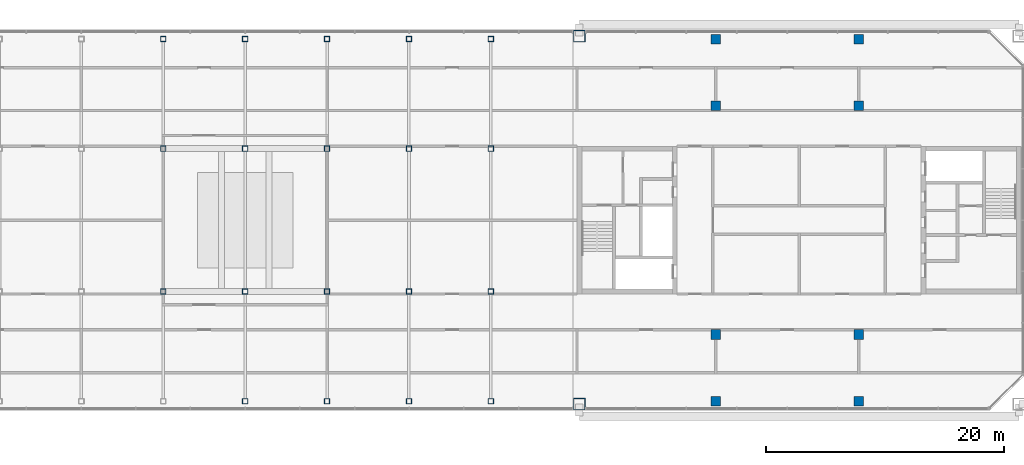
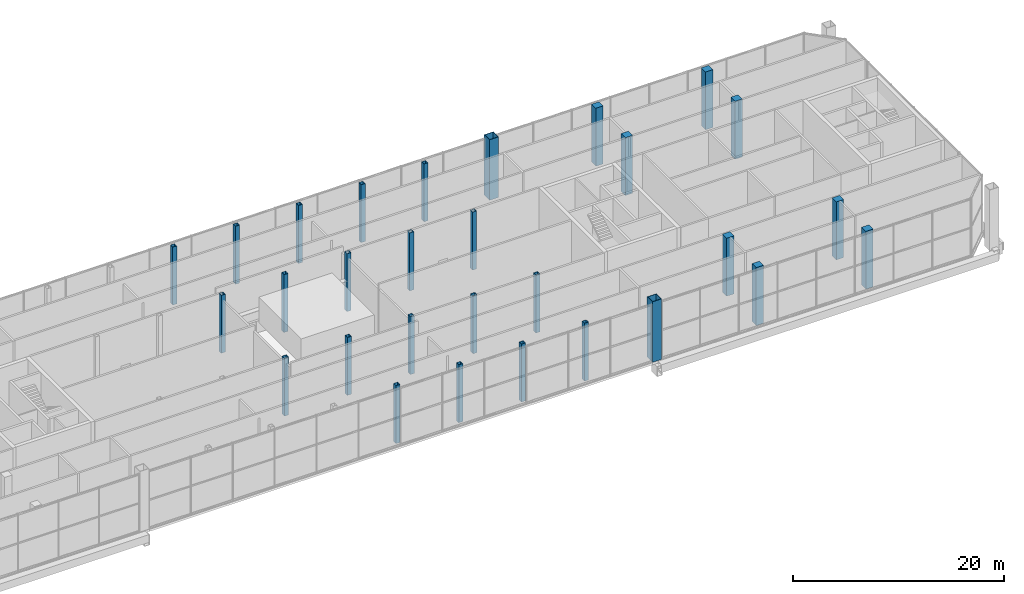
# One storey, part 2 of 27: 29 columns.
"""IFC4 building model written with IfcOpenShell, lengths in metres."""

from ifc_helpers import new_model, si_unit, direction, frame, origin, origin_2d, place, context, subcontext, project, spatial, rectangle, hollow_rectangle, extrude, material, material_profile, profile_set, type_object, element, save


model = new_model("IFC4")

# Units and contexts
model_context = context("Model", 3, precision=1e-05, world=origin(), true_north=direction((0.0, 1.0)))
body_context = subcontext(model_context, "Body", "Model", "MODEL_VIEW")
ifc_project = project(units=[si_unit("LENGTHUNIT", "METRE"), si_unit("AREAUNIT", "SQUARE_METRE"), si_unit("VOLUMEUNIT", "CUBIC_METRE"), si_unit("PLANEANGLEUNIT", "RADIAN"), si_unit("MASSUNIT", "GRAM", prefix="KILO")], contexts=[model_context])

# Site, building, storey
site_placement = place(None, origin())
site = spatial("IfcSite", under=ifc_project, at=site_placement, CompositionType="ELEMENT")
building_placement = place(site_placement, origin())
building = spatial("IfcBuilding", under=site, at=building_placement, Name="Tuart Gate Housing", CompositionType="ELEMENT")
storey_placement = place(building_placement, frame((0.0, 0.0, 236.89990234375)))
storey = spatial("IfcBuildingStorey", under=building, at=storey_placement, Name="L67", CompositionType="ELEMENT", Elevation=236.89990234375)

# Columns
ifc_material_1 = material(Name="Steel Grade 350", Category="steel")
ifc_material_profile_1 = material_profile(ifc_material_1, hollow_rectangle(XDim=0.449951171875, YDim=0.449951171875, WallThickness=0.02490234375, at=origin_2d()), Name="BOX 450x450x25")
ifc_profile_set_1 = profile_set([ifc_material_profile_1], Name="Steel Grade 350")
column_type_1 = type_object("IfcColumnType", Name="Link column BOX 450x450x25", PredefinedType="COLUMN", material=ifc_profile_set_1)
for number, where, z_axis, x_axis, name in (
    (1, (103.5, 54.800048828125, 0.0), (0.0, 0.0, 1.0), (1.0, 0.0, 0.0), "Link column line 1 point 4 L67"),
    (2, (110.375, 54.800048828125, 0.0), (0.0, 0.0, 1.0), (1.0, 0.0, 0.0), "Link column line 1 point 5 L67"),
    (3, (117.25, 54.800048828125, 0.0), (0.0, 0.0, 1.0), (1.0, 0.0, 0.0), "Link column line 1 point 6 L67"),
    (4, (124.125, 54.800048828125, 0.0), (0.0, 0.0, 1.0), (1.0, 0.0, 0.0), "Link column line 1 point 7 L67"),
    (5, (96.625, 64.0, 0.0), (0.0, 0.0, 1.0), (1.0, 0.0, 0.0), "Link column line 2 point 3 L67"),
    (6, (103.5, 64.0, 0.0), (0.0, 0.0, 1.0), (1.0, 0.0, 0.0), "Link column line 2 point 4 L67"),
    (7, (110.375, 64.0, 0.0), (0.0, 0.0, 1.0), (1.0, 0.0, 0.0), "Link column line 2 point 5 L67"),
    (8, (117.25, 64.0, 0.0), (0.0, 0.0, 1.0), (1.0, 0.0, 0.0), "Link column line 2 point 6 L67"),
    (9, (124.125, 64.0, 0.0), (0.0, 0.0, 1.0), (1.0, 0.0, 0.0), "Link column line 2 point 7 L67"),
    (10, (96.625, 76.0, 0.0), (0.0, 0.0, 1.0), (1.0, 0.0, 0.0), "Link column line 3 point 3 L67"),
    (11, (103.5, 76.0, 0.0), (0.0, 0.0, 1.0), (1.0, 0.0, 0.0), "Link column line 3 point 4 L67"),
    (12, (110.375, 76.0, 0.0), (0.0, 0.0, 1.0), (1.0, 0.0, 0.0), "Link column line 3 point 5 L67"),
    (13, (117.25, 76.0, 0.0), (0.0, 0.0, 1.0), (1.0, 0.0, 0.0), "Link column line 3 point 6 L67"),
    (14, (124.125, 76.0, 0.0), (0.0, 0.0, 1.0), (1.0, 0.0, 0.0), "Link column line 3 point 7 L67"),
    (15, (96.625, 85.199951171875, 0.0), (0.0, 0.0, 1.0), (1.0, 0.0, 0.0), "Link column line 4 point 3 L67"),
    (16, (103.5, 85.199951171875, 0.0), (0.0, 0.0, 1.0), (1.0, 0.0, 0.0), "Link column line 4 point 4 L67"),
    (17, (110.375, 85.199951171875, 0.0), (0.0, 0.0, 1.0), (1.0, 0.0, 0.0), "Link column line 4 point 5 L67"),
    (18, (117.25, 85.199951171875, 0.0), (0.0, 0.0, 1.0), (1.0, 0.0, 0.0), "Link column line 4 point 6 L67"),
    (19, (124.125, 85.199951171875, 0.0), (0.0, 0.0, 1.0), (1.0, 0.0, 0.0), "Link column line 4 point 7 L67"),
):
    element("IfcColumn", number, at=place(storey_placement, frame(where, z_axis=z_axis, x_axis=x_axis)), inside=storey, type_object=column_type_1, Name=name, PredefinedType="COLUMN", context=body_context, shape_type="SweptSolid", body=[
        extrude(hollow_rectangle(XDim=0.449951171875, YDim=0.449951171875, WallThickness=0.02490234375, at=origin_2d()), origin(), (0.0, 0.0, 1.0), 6.7001953125),
    ])
ifc_material_2 = material(Name="Steel Grade 350", Category="steel")
ifc_material_profile_2 = material_profile(ifc_material_2, hollow_rectangle(XDim=1.0, YDim=1.0, WallThickness=0.054931640625, at=origin_2d()), Name="BOX 1000x1000x55")
ifc_profile_set_2 = profile_set([ifc_material_profile_2], Name="Steel Grade 350")
column_type_2 = type_object("IfcColumnType", Name="Mega column BOX 1000x1000x55 (6.2-7.0 m)", PredefinedType="COLUMN", material=ifc_profile_set_2)
for number, where, z_axis, x_axis, name in (
    (20, (131.550048828125, 54.550048828125, 0.0), (0.0, 0.0, 1.0), (1.0, 0.0, 0.0), "Mega column B south-west L67"),
    (21, (131.550048828125, 85.449951171875, 0.0), (0.0, 0.0, 1.0), (1.0, 0.0, 0.0), "Mega column B north-west L67"),
):
    element("IfcColumn", number, at=place(storey_placement, frame(where, z_axis=z_axis, x_axis=x_axis)), inside=storey, type_object=column_type_2, Name=name, PredefinedType="COLUMN", context=body_context, shape_type="SweptSolid", body=[
        extrude(hollow_rectangle(XDim=1.0, YDim=1.0, WallThickness=0.054931640625, at=origin_2d()), origin(), (0.0, 0.0, 1.0), 7.0),
    ])
ifc_material_3 = material(Name="Concrete C50", Category="concrete")
ifc_material_profile_3 = material_profile(ifc_material_3, rectangle(XDim=0.800048828125, YDim=0.800048828125, at=origin_2d()), Name="RC column 800 x 800 (5.6-6.7 m)")
ifc_profile_set_3 = profile_set([ifc_material_profile_3], Name="Concrete C50")
column_type_3 = type_object("IfcColumnType", Name="RC column 800 x 800 (5.6-6.7 m)", PredefinedType="COLUMN", material=ifc_profile_set_3)
for number, where, z_axis, x_axis, name in (
    (22, (143.0, 54.800048828125, 0.0), (0.0, 0.0, 1.0), (1.0, 0.0, 0.0), "RC column 25 L67"),
    (23, (143.0, 60.39990234375, 0.0), (0.0, 0.0, 1.0), (1.0, 0.0, 0.0), "RC column 26 L67"),
    (24, (143.0, 79.60009765625, 0.0), (0.0, 0.0, 1.0), (1.0, 0.0, 0.0), "RC column 27 L67"),
    (25, (143.0, 85.199951171875, 0.0), (0.0, 0.0, 1.0), (1.0, 0.0, 0.0), "RC column 28 L67"),
    (26, (155.0, 54.800048828125, 0.0), (0.0, 0.0, 1.0), (1.0, 0.0, 0.0), "RC column 29 L67"),
    (27, (155.0, 60.39990234375, 0.0), (0.0, 0.0, 1.0), (1.0, 0.0, 0.0), "RC column 30 L67"),
    (28, (155.0, 79.60009765625, 0.0), (0.0, 0.0, 1.0), (1.0, 0.0, 0.0), "RC column 31 L67"),
    (29, (155.0, 85.199951171875, 0.0), (0.0, 0.0, 1.0), (1.0, 0.0, 0.0), "RC column 32 L67"),
):
    element("IfcColumn", number, at=place(storey_placement, frame(where, z_axis=z_axis, x_axis=x_axis)), inside=storey, type_object=column_type_3, Name=name, PredefinedType="COLUMN", context=body_context, shape_type="SweptSolid", body=[
        extrude(rectangle(XDim=0.800048828125, YDim=0.800048828125, at=origin_2d()), origin(), (0.0, 0.0, 1.0), 6.7001953125),
    ])

save(model, "model.ifc")
